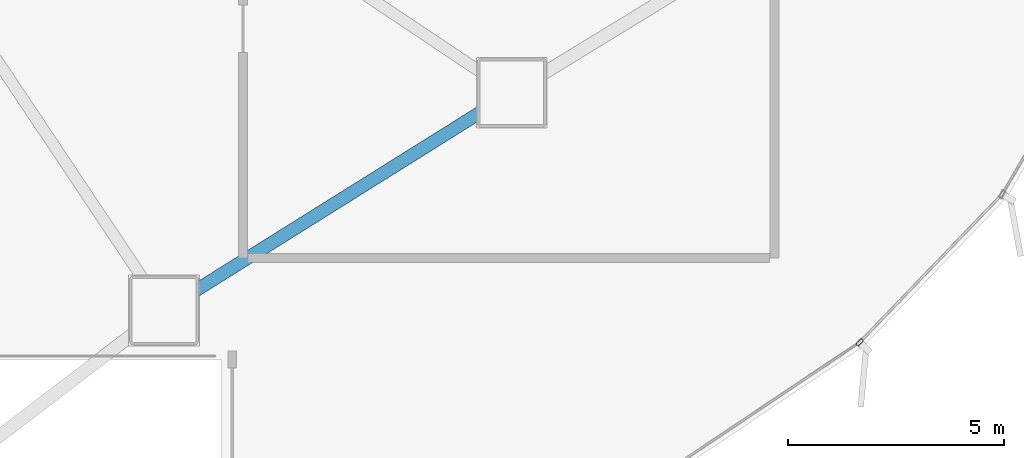
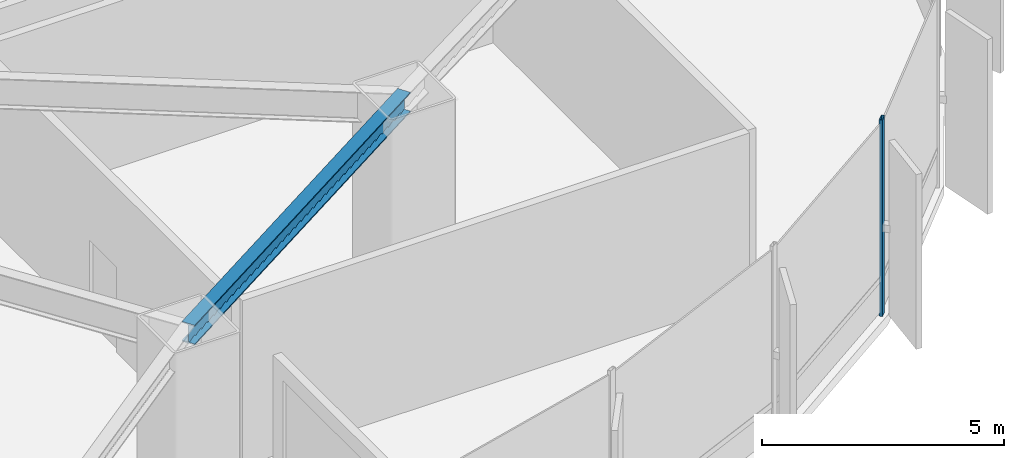
# One storey, part 15 of 35: 1 beam, 1 member, 1 element without a shape of its own.
"""IFC4 building model written with IfcOpenShell, lengths in metres."""

import ifcopenshell
import ifcopenshell.guid

model = None  # the IFC model being written
_history = None  # IfcOwnerHistory: only IFC2X3 demands one
_inside = {}  # id of a spatial element -> (the spatial element, [elements in it])
_under = {}  # id of a project, library or spatial element -> (it, [spatial elements below it])
_declared = {}  # id of a project -> (the project, [libraries it declares])
_typed = {}  # id of a type object -> (the type object, [elements of that type])
_made_of = {}  # id of a material, layer set ... -> (it, [elements and type objects made of it])


def new_model(schema):
    """Start an empty IFC model of exactly this schema.

    Asked for "IFC4X3", IfcOpenShell would pick the latest addendum, in which some entities
    have other attributes; the version numbers below select the first issue.
    IFC2X3 requires an IfcOwnerHistory on every rooted entity: one is made here for all.
    """
    global model, _history
    if schema == "IFC4X3":
        model = ifcopenshell.file(schema_version=(4, 3, 0, 0))
    else:
        model = ifcopenshell.file(schema=schema)
    _inside.clear()
    _under.clear()
    _declared.clear()
    _typed.clear()
    _made_of.clear()
    _history = None
    if model.schema == "IFC2X3":
        org = make("IfcOrganization", Name="unknown")
        user = make(
            "IfcPersonAndOrganization",
            ThePerson=make("IfcPerson", FamilyName="unknown"),
            TheOrganization=org,
        )
        app = make(
            "IfcApplication",
            ApplicationDeveloper=org,
            Version="unknown",
            ApplicationFullName="unknown",
            ApplicationIdentifier="unknown",
        )
        _history = make(
            "IfcOwnerHistory",
            OwningUser=user,
            OwningApplication=app,
            ChangeAction="ADDED",
            CreationDate=0,
        )
    return model


def make(cls, **values):
    """One entity of the class cls with the attributes given. An attribute that is None is left unset."""
    return model.create_entity(
        cls, **{name: value for name, value in values.items() if value is not None}
    )


def rooted(cls, **values):
    """An entity with a GlobalId (a new one), such as an element, a storey or a relation."""
    return make(cls, GlobalId=ifcopenshell.guid.new(), OwnerHistory=_history, **values)


def si_unit(unit_type, name, prefix=None):
    """IfcSIUnit, for example si_unit("LENGTHUNIT", "METRE", prefix="MILLI")."""
    return make("IfcSIUnit", UnitType=unit_type, Prefix=prefix, Name=name)


def assignment(units):
    """IfcUnitAssignment: the units of a project."""
    return None if units is None else make("IfcUnitAssignment", Units=units)


def point(xyz):
    """IfcCartesianPoint."""
    return None if xyz is None else make("IfcCartesianPoint", Coordinates=xyz)


def direction(xyz):
    """IfcDirection."""
    return None if xyz is None else make("IfcDirection", DirectionRatios=xyz)


def frame(location, z_axis=None, x_axis=None):
    """IfcAxis2Placement3D, a coordinate frame: its origin and axes. An axis left out is left unset."""
    return make(
        "IfcAxis2Placement3D",
        Location=point(location),
        Axis=direction(z_axis),
        RefDirection=direction(x_axis),
    )


def frame_2d(location, x_axis=None):
    """IfcAxis2Placement2D, a coordinate frame in the plane: its origin and x axis."""
    return make(
        "IfcAxis2Placement2D", Location=point(location), RefDirection=direction(x_axis)
    )


def origin():
    """The frame at (0, 0, 0) with its axes left unset."""
    return frame((0.0, 0.0, 0.0))


def origin_2d():
    """The frame at (0, 0) in the plane with its x axis left unset."""
    return frame_2d((0.0, 0.0))


def place(relative_to, where):
    """IfcLocalPlacement: puts the frame where relative to a parent placement (None: the world)."""
    return make(
        "IfcLocalPlacement", PlacementRelTo=relative_to, RelativePlacement=where
    )


def context(
    kind, dimensions, precision=None, world=None, true_north=None, identifier=None
):
    """IfcGeometricRepresentationContext, for example the 3D "Model" context."""
    return make(
        "IfcGeometricRepresentationContext",
        ContextIdentifier=identifier,
        ContextType=kind,
        CoordinateSpaceDimension=dimensions,
        Precision=precision,
        WorldCoordinateSystem=world,
        TrueNorth=true_north,
    )


def subcontext(parent, identifier, kind, view, scale=None):
    """IfcGeometricRepresentationSubContext, for example "Body" below "Model"."""
    return make(
        "IfcGeometricRepresentationSubContext",
        ContextIdentifier=identifier,
        ContextType=kind,
        ParentContext=parent,
        TargetScale=scale,
        TargetView=view,
    )


def project(units=None, contexts=None):
    """IfcProject with its units and contexts."""
    return rooted(
        "IfcProject",
        Name="project",
        RepresentationContexts=contexts,
        UnitsInContext=assignment(units),
    )


def spatial(cls, under=None, at=None, **own):
    """A site, building, storey or space (cls), placed at a placement, below another one or the project."""
    s = rooted(cls, ObjectPlacement=at, **own)
    if under is not None:
        _under.setdefault(under.id(), (under, []))[1].append(s)
    return s


def profile(cls, at=None, kind="AREA", **sizes):
    """A parametric profile (cls). Its sizes go by their IFC names, for example OverallWidth=200.0."""
    return make(cls, ProfileType=kind, Position=at, **sizes)


def hollow_rectangle(**sizes):
    """IfcRectangleHollowProfileDef."""
    return profile("IfcRectangleHollowProfileDef", **sizes)


def i_section(**sizes):
    """IfcIShapeProfileDef."""
    return profile("IfcIShapeProfileDef", **sizes)


def extrude(swept, where, along, depth):
    """IfcExtrudedAreaSolid: the profile swept, set in the frame where, extruded along a direction by depth."""
    return make(
        "IfcExtrudedAreaSolid",
        SweptArea=swept,
        Position=where,
        ExtrudedDirection=direction(along),
        Depth=depth,
    )


def shape(context_of_items, identifier, shape_type, items):
    """IfcShapeRepresentation: the items that make up one representation, for example the "Body"."""
    return make(
        "IfcShapeRepresentation",
        ContextOfItems=context_of_items,
        RepresentationIdentifier=identifier,
        RepresentationType=shape_type,
        Items=items,
    )


def source(mapping_origin, context_of_items, identifier, shape_type, items):
    """IfcRepresentationMap: a shape defined once, which mapped items show again and again."""
    return make(
        "IfcRepresentationMap",
        MappingOrigin=mapping_origin,
        MappedRepresentation=shape(context_of_items, identifier, shape_type, items),
    )


def transform(
    local_origin,
    x_axis=None,
    y_axis=None,
    z_axis=None,
    scale=None,
    scale2=None,
    scale3=None,
    uniform=True,
):
    """IfcCartesianTransformationOperator3D, or its non-uniform kind. x_axis, y_axis, z_axis: its Axis1, 2, 3."""
    if uniform:
        return make(
            "IfcCartesianTransformationOperator3D",
            Axis1=direction(x_axis),
            Axis2=direction(y_axis),
            LocalOrigin=point(local_origin),
            Scale=scale,
            Axis3=direction(z_axis),
        )
    return make(
        "IfcCartesianTransformationOperator3DnonUniform",
        Axis1=direction(x_axis),
        Axis2=direction(y_axis),
        LocalOrigin=point(local_origin),
        Scale=scale,
        Axis3=direction(z_axis),
        Scale2=scale2,
        Scale3=scale3,
    )


def mapped(mapping_source, mapping_target):
    """IfcMappedItem: shows the shape of a source again, moved by a transform."""
    return make(
        "IfcMappedItem", MappingSource=mapping_source, MappingTarget=mapping_target
    )


def material(Name=None, Category=None):
    """IfcMaterial."""
    return make("IfcMaterial", Name=Name, Category=Category)


def layer(
    of_material, thickness, ventilated=None, Name=None, Category=None, Priority=None
):
    """IfcMaterialLayer: one layer of a wall or slab, of a material (None: an air gap)."""
    return make(
        "IfcMaterialLayer",
        Material=of_material,
        LayerThickness=thickness,
        IsVentilated=ventilated,
        Name=Name,
        Category=Category,
        Priority=Priority,
    )


def layer_set(layers, Name=None):
    """IfcMaterialLayerSet."""
    return make("IfcMaterialLayerSet", MaterialLayers=layers, LayerSetName=Name)


def material_profile(
    of_material, cross_section, Name=None, Category=None, Priority=None
):
    """IfcMaterialProfile: a cross section and its material."""
    return make(
        "IfcMaterialProfile",
        Name=Name,
        Material=of_material,
        Profile=cross_section,
        Priority=Priority,
        Category=Category,
    )


def profile_set(profiles, Name=None, composite=None):
    """IfcMaterialProfileSet."""
    return make(
        "IfcMaterialProfileSet",
        Name=Name,
        MaterialProfiles=profiles,
        CompositeProfile=composite,
    )


def made_of(thing, what):
    """Note that an element or type object is made of a material, layer set ...; save() writes the relation."""
    if what is not None:
        _made_of.setdefault(what.id(), (what, []))[1].append(thing)
    return thing


def type_object(cls, material=None, **own):
    """A type object (cls), such as IfcWallType, which elements share."""
    return made_of(rooted(cls, **own), material)


def element(
    cls,
    number,
    at=None,
    inside=None,
    cuts=None,
    type_object=None,
    material=None,
    context=None,
    identifier="Body",
    shape_type=None,
    held_by="IfcProductDefinitionShape",
    body=None,
    shapes=None,
    **own,
):
    """One element of the class cls, such as IfcWall. Its Tag is "e" and its number.

    at: its placement. inside: the storey or other place that contains it. cuts: it is an
    opening in that element (IfcRelVoidsElement). A single representation is given by context,
    identifier, shape_type and body (its items); several are given by shapes. held_by: the class
    of the entity that holds the representations. save() writes the other relations.
    """
    e = rooted(cls, Tag="e%d" % number, ObjectPlacement=at, **own)
    if body is not None:
        shapes = [shape(context, identifier, shape_type, body)]
    if shapes is not None:
        e.Representation = make(held_by, Representations=shapes)
    if inside is not None:
        _inside.setdefault(inside.id(), (inside, []))[1].append(e)
    if cuts is not None:
        rooted(
            "IfcRelVoidsElement", RelatingBuildingElement=cuts, RelatedOpeningElement=e
        )
    if type_object is not None:
        _typed.setdefault(type_object.id(), (type_object, []))[1].append(e)
    return made_of(e, material)


def aggregate(whole, parts):
    """IfcRelAggregates: a whole, such as a stair, and the parts it consists of."""
    return rooted("IfcRelAggregates", RelatingObject=whole, RelatedObjects=parts)


def save(model, path):
    """Write the relations noted so far, then the file.

    IfcRelAggregates (storeys below a building ...), IfcRelContainedInSpatialStructure (elements
    in a storey), IfcRelDefinesByType, IfcRelAssociatesMaterial and IfcRelDeclares: one each for
    every whole, place, type object, material and project.
    """
    for whole, parts in _under.values():
        aggregate(whole, parts)
    for where, things in _inside.values():
        rooted(
            "IfcRelContainedInSpatialStructure",
            RelatedElements=things,
            RelatingStructure=where,
        )
    for kind, things in _typed.values():
        rooted("IfcRelDefinesByType", RelatedObjects=things, RelatingType=kind)
    for what, things in _made_of.values():
        rooted("IfcRelAssociatesMaterial", RelatedObjects=things, RelatingMaterial=what)
    for by, libraries in _declared.values():
        rooted("IfcRelDeclares", RelatingContext=by, RelatedDefinitions=libraries)
    model.write(path)


model = new_model("IFC4")

# Units and contexts
model_context = context("Model", 3, precision=1e-05, world=origin(), true_north=direction((0.0, 1.0)))
body_context = subcontext(model_context, "Body", "Model", "MODEL_VIEW")
ifc_project = project(units=[si_unit("LENGTHUNIT", "METRE"), si_unit("AREAUNIT", "SQUARE_METRE"), si_unit("VOLUMEUNIT", "CUBIC_METRE"), si_unit("PLANEANGLEUNIT", "RADIAN"), si_unit("MASSUNIT", "GRAM", prefix="KILO"), si_unit("THERMODYNAMICTEMPERATUREUNIT", "KELVIN")], contexts=[model_context])

# Site, building, storey
site_placement = place(None, origin())
site = spatial("IfcSite", under=ifc_project, at=site_placement, CompositionType="ELEMENT")
building_placement = place(site_placement, origin())
building = spatial("IfcBuilding", under=site, at=building_placement, Name="Kethvar Cultural Tower", CompositionType="ELEMENT")
storey_placement = place(building_placement, origin())
storey = spatial("IfcBuildingStorey", under=building, at=storey_placement, Name="L00", CompositionType="ELEMENT", Elevation=0.0)

# Beam
ifc_material_1 = material(Name="Steel S355J2", Category="steel")
ifc_material_profile_1 = material_profile(ifc_material_1, i_section(OverallWidth=0.300048828125, OverallDepth=0.5, WebThickness=0.014404296875, FlangeThickness=0.028076171875, FilletRadius=0.027099609375, at=origin_2d()), Name="Steel S355J2 — HEB500")
ifc_profile_set_1 = profile_set([ifc_material_profile_1], Name="Steel S355J2 — HEB500")
beam_type = type_object("IfcBeamType", Name="BM-SP500", PredefinedType="SPANDREL", material=ifc_profile_set_1)
shared_shape_1 = source(origin(), body_context, "Body", "SweptSolid", [
    extrude(i_section(OverallWidth=0.300048828125, OverallDepth=0.5, WebThickness=0.014404296875, FlangeThickness=0.028076171875, FilletRadius=0.027099609375, at=origin_2d()), origin(), (0.0, 0.0, 1.0), 9.493896484375),
])
beam_placement = place(storey_placement, frame((59.370361328125, 8.987060546875, 4.697998046875), z_axis=(0.847710685997, 0.530458851228, 0.0), x_axis=(-0.530458851228, 0.847710685997, 0.0)))
element("IfcBeam", 1, at=beam_placement, inside=storey, type_object=beam_type, Name="L00 Podium Ring Beam 14", PredefinedType="SPANDREL", context=body_context, shape_type="MappedRepresentation", body=[
    mapped(shared_shape_1, transform((0.0, 0.0, 0.0), scale=1.0)),
])

# Curtain wall, member
ifc_material_2 = material(Name="Aluminium 6063-T6", Category="aluminium")
ifc_layer = layer(ifc_material_2, 0.179931640625, Name="Aluminium 6063-T6", Category="aluminium")
ifc_layer_set = layer_set([ifc_layer], Name="Aluminium 6063-T6 (180 mm)")
curtain_wall_type = type_object("IfcCurtainWallType", Name="CW-SYS-01-POD", PredefinedType="NOTDEFINED", material=ifc_layer_set)
curtain_wall_placement = place(storey_placement, origin())
curtain_wall = element("IfcCurtainWall", 2, at=curtain_wall_placement, inside=storey, type_object=curtain_wall_type, Name="L00 Curtain Wall Run 04", PredefinedType="NOTDEFINED")
ifc_material_profile_2 = material_profile(ifc_material_2, hollow_rectangle(XDim=0.074951171875, YDim=0.179931640625, WallThickness=0.006103515625, at=origin_2d()), Name="Aluminium 6063-T6 — RHS180x75x6")
ifc_profile_set_2 = profile_set([ifc_material_profile_2], Name="Aluminium 6063-T6 — RHS180x75x6")
member_type = type_object("IfcMemberType", Name="CW-SYS-01-POD-MUL", PredefinedType="MULLION", material=ifc_profile_set_2)
shared_shape_2 = source(origin(), body_context, "Body", "SweptSolid", [
    extrude(hollow_rectangle(XDim=0.074951171875, YDim=0.179931640625, WallThickness=0.006103515625, at=origin_2d()), origin(), (0.0, 0.0, 1.0), 4.949951171875),
])
member_placement = place(storey_placement, frame((75.469482421875, 8.244384765625, 0.0), z_axis=(0.0, 0.0, 1.0), x_axis=(-0.720611619661, 0.693338945689, 0.0)))
member = element("IfcMember", 3, at=member_placement, type_object=member_type, Name="CW-L00-R04 Mullion 5", PredefinedType="MULLION", context=body_context, shape_type="MappedRepresentation", body=[
    mapped(shared_shape_2, transform((0.0, 0.0, 0.0), scale=1.0)),
])
aggregate(curtain_wall, [member])

save(model, "model.ifc")
